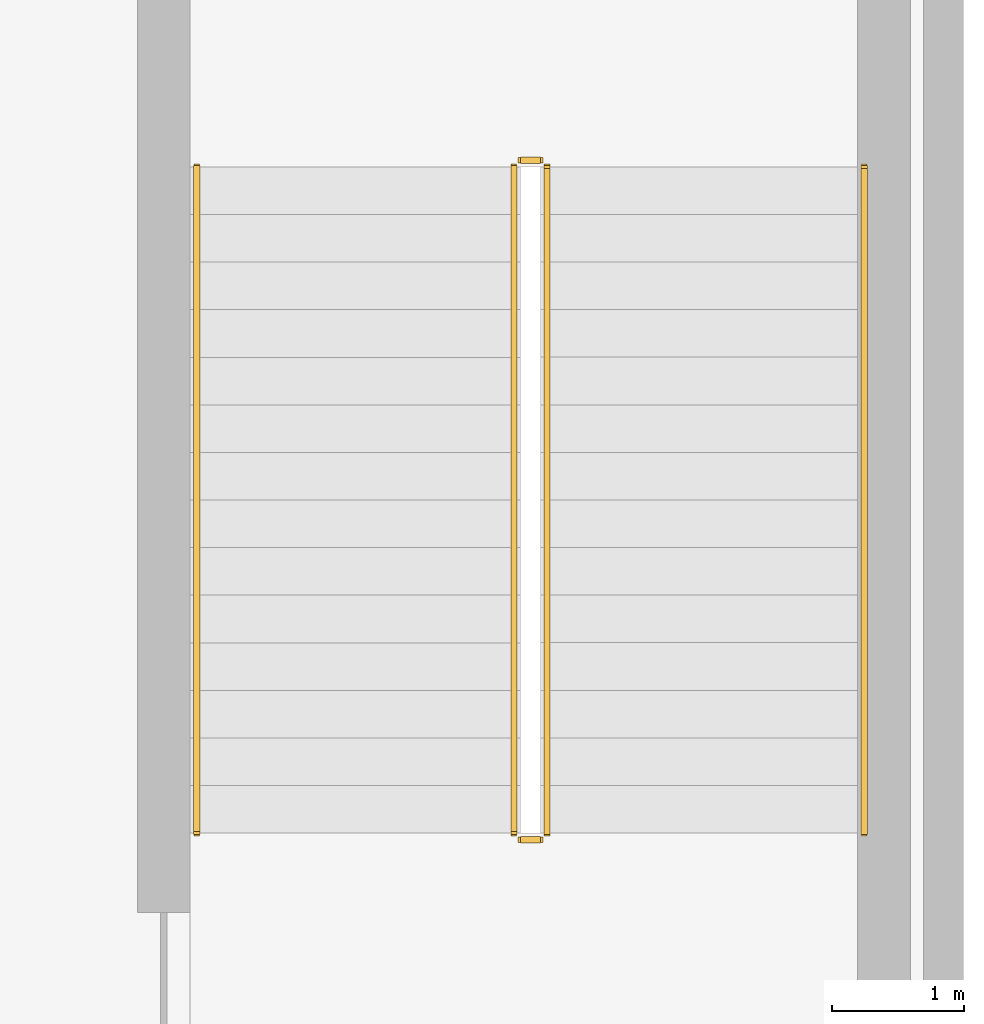
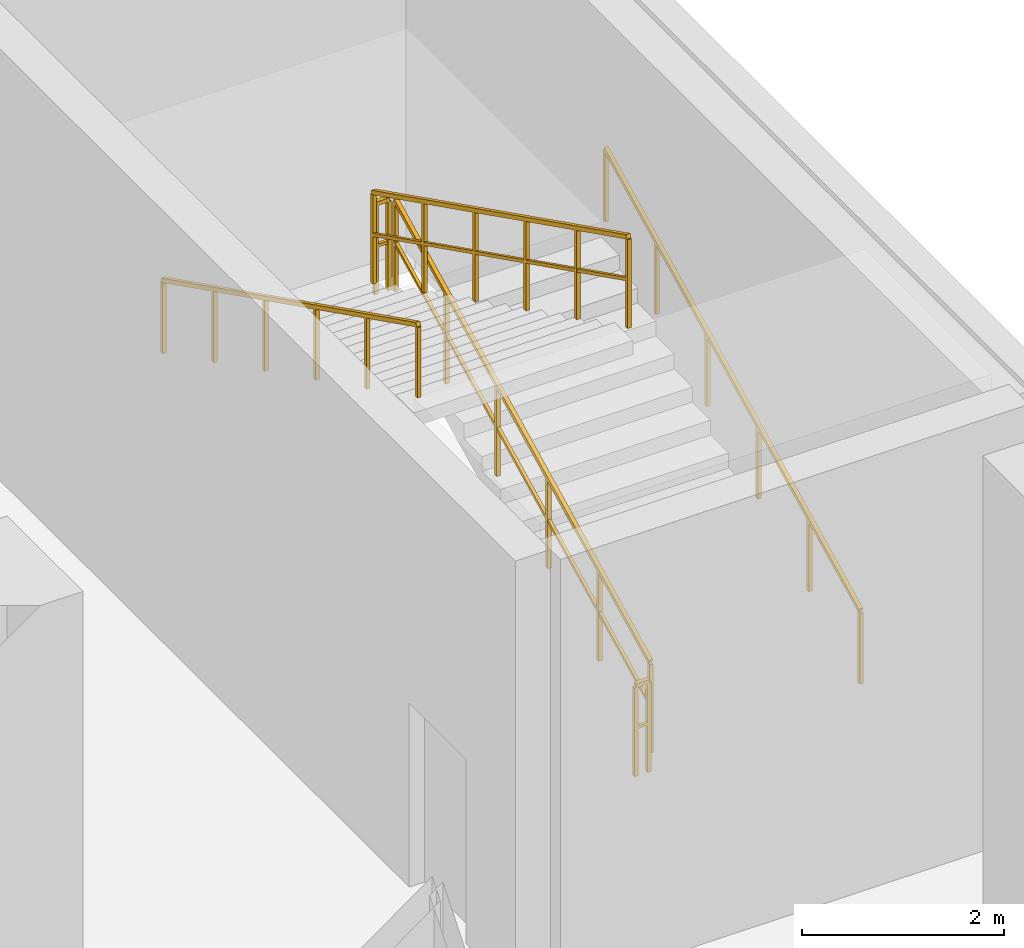
# One storey, part 29 of 30: 6 railings.
"""IFC4 building model written with IfcOpenShell, lengths in metres."""

from ifc_helpers import new_model, si_unit, direction, frame, origin, origin_2d, place, context, subcontext, project, spatial, rectangle, extrude, material, type_object, element, save


model = new_model("IFC4")

# Units and contexts
model_context = context("Model", 3, precision=1e-05, world=origin(), true_north=direction((0.0, 1.0)))
body_context = subcontext(model_context, "Body", "Model", "MODEL_VIEW")
ifc_project = project(units=[si_unit("LENGTHUNIT", "METRE"), si_unit("AREAUNIT", "SQUARE_METRE"), si_unit("VOLUMEUNIT", "CUBIC_METRE"), si_unit("PLANEANGLEUNIT", "RADIAN"), si_unit("MASSUNIT", "GRAM", prefix="KILO")], contexts=[model_context])

# Site, building, storey
site_placement = place(None, origin())
site = spatial("IfcSite", under=ifc_project, at=site_placement, CompositionType="ELEMENT")
building_placement = place(site_placement, origin())
building = spatial("IfcBuilding", under=site, at=building_placement, Name="Zuhayl Quay Hotel", CompositionType="ELEMENT")
storey_placement = place(building_placement, frame((0.0, 0.0, 6.0)))
storey = spatial("IfcBuildingStorey", under=building, at=storey_placement, Name="L01", CompositionType="ELEMENT", Elevation=6.0)

# Railings
ifc_material = material(Name="Steel ASTM A992 Grade 50", Category="steel")
railing_type_1 = type_object("IfcRailingType", Name="RL_GUARD_1100", PredefinedType="GUARDRAIL", material=ifc_material)
railing_1_placement = place(storey_placement, frame((33.0, 4.10009765625, 0.179931640625)))
element("IfcRailing", 1, at=railing_1_placement, inside=storey, type_object=railing_type_1, Name="L01 ST4 stair guard 1", PredefinedType="GUARDRAIL", context=body_context, shape_type="SweptSolid", body=[
    extrude(rectangle(XDim=0.048095703125, YDim=0.048095703125, at=origin_2d()), frame((0.0, 0.0, 1.09619140625), z_axis=(0.0, 0.894418525245, 0.447230926589), x_axis=(-1.0, 0.0, 0.0)), (0.0, 0.0, 1.0), 5.634765625),
    extrude(rectangle(XDim=0.0361328125, YDim=0.0361328125, at=origin_2d()), frame((0.0, 0.0, 0.58251953125), z_axis=(0.0, 0.894418525245, 0.447230926589), x_axis=(-1.0, 0.0, 0.0)), (0.0, 0.0, 1.0), 5.634765625),
    extrude(rectangle(XDim=0.0419921875, YDim=0.0419921875, at=origin_2d()), origin(), (0.0, 0.0, 1.0), 1.072021484375),
    extrude(rectangle(XDim=0.0419921875, YDim=0.0419921875, at=origin_2d()), frame((0.0, 1.008056640625, 0.50390625)), (0.0, 0.0, 1.0), 1.072021484375),
    extrude(rectangle(XDim=0.0419921875, YDim=0.0419921875, at=origin_2d()), frame((0.0, 2.015869140625, 1.008056640625)), (0.0, 0.0, 1.0), 1.072021484375),
    extrude(rectangle(XDim=0.0419921875, YDim=0.0419921875, at=origin_2d()), frame((0.0, 3.02392578125, 1.511962890625)), (0.0, 0.0, 1.0), 1.072021484375),
    extrude(rectangle(XDim=0.0419921875, YDim=0.0419921875, at=origin_2d()), frame((0.0, 4.03173828125, 2.01611328125)), (0.0, 0.0, 1.0), 1.072021484375),
    extrude(rectangle(XDim=0.0419921875, YDim=0.0419921875, at=origin_2d()), frame((0.0, 5.039794921875, 2.52001953125)), (0.0, 0.0, 1.0), 1.072021484375),
])
railing_2_placement = place(storey_placement, frame((32.949951171875, 9.18994140625, 2.699951171875)))
element("IfcRailing", 2, at=railing_2_placement, inside=storey, type_object=railing_type_1, Name="L01 ST4 stair guard 2", PredefinedType="GUARDRAIL", context=body_context, shape_type="SweptSolid", body=[
    extrude(rectangle(XDim=0.048095703125, YDim=0.048095703125, at=origin_2d()), frame((0.0, 0.0, 1.09619140625), z_axis=(-1.0, 0.0, 0.0), x_axis=(0.0, -1.0, 0.0)), (0.0, 0.0, 1.0), 0.14990234375),
    extrude(rectangle(XDim=0.0361328125, YDim=0.0361328125, at=origin_2d()), frame((0.0, 0.0, 0.58251953125), z_axis=(-1.0, 0.0, 0.0), x_axis=(0.0, -1.0, 0.0)), (0.0, 0.0, 1.0), 0.14990234375),
    extrude(rectangle(XDim=0.0419921875, YDim=0.0419921875, at=origin_2d()), origin(), (0.0, 0.0, 1.0), 1.072021484375),
    extrude(rectangle(XDim=0.0419921875, YDim=0.0419921875, at=origin_2d()), frame((-0.14990234375, 0.0, 0.0)), (0.0, 0.0, 1.0), 1.072021484375),
])
railing_3_placement = place(storey_placement, frame((32.75, 9.139892578125, 2.8798828125)))
element("IfcRailing", 3, at=railing_3_placement, inside=storey, type_object=railing_type_1, Name="L01 ST4 stair guard 3", PredefinedType="GUARDRAIL", context=body_context, shape_type="SweptSolid", body=[
    extrude(rectangle(XDim=0.048095703125, YDim=0.048095703125, at=origin_2d()), frame((0.0, 0.0, 1.09619140625), z_axis=(0.0, -0.894418525245, 0.447230926589), x_axis=(1.0, 0.0, 0.0)), (0.0, 0.0, 1.0), 5.634765625),
    extrude(rectangle(XDim=0.0361328125, YDim=0.0361328125, at=origin_2d()), frame((0.0, 0.0, 0.58251953125), z_axis=(0.0, -0.894418525245, 0.447230926589), x_axis=(1.0, 0.0, 0.0)), (0.0, 0.0, 1.0), 5.634765625),
    extrude(rectangle(XDim=0.0419921875, YDim=0.0419921875, at=origin_2d()), origin(), (0.0, 0.0, 1.0), 1.072021484375),
    extrude(rectangle(XDim=0.0419921875, YDim=0.0419921875, at=origin_2d()), frame((0.0, -1.008056640625, 0.50390625)), (0.0, 0.0, 1.0), 1.072021484375),
    extrude(rectangle(XDim=0.0419921875, YDim=0.0419921875, at=origin_2d()), frame((0.0, -2.015869140625, 1.008056640625)), (0.0, 0.0, 1.0), 1.072021484375),
    extrude(rectangle(XDim=0.0419921875, YDim=0.0419921875, at=origin_2d()), frame((0.0, -3.02392578125, 1.511962890625)), (0.0, 0.0, 1.0), 1.072021484375),
    extrude(rectangle(XDim=0.0419921875, YDim=0.0419921875, at=origin_2d()), frame((0.0, -4.03173828125, 2.01611328125)), (0.0, 0.0, 1.0), 1.072021484375),
    extrude(rectangle(XDim=0.0419921875, YDim=0.0419921875, at=origin_2d()), frame((0.0, -5.039794921875, 2.52001953125)), (0.0, 0.0, 1.0), 1.072021484375),
])
railing_4_placement = place(storey_placement, frame((32.949951171875, 4.050048828125, 0.0)))
element("IfcRailing", 4, at=railing_4_placement, inside=storey, type_object=railing_type_1, Name="L01 ST4 stair guard 4", PredefinedType="GUARDRAIL", context=body_context, shape_type="SweptSolid", body=[
    extrude(rectangle(XDim=0.048095703125, YDim=0.048095703125, at=origin_2d()), frame((0.0, 0.0, 1.09619140625), z_axis=(-1.0, 0.0, 0.0), x_axis=(0.0, -1.0, 0.0)), (0.0, 0.0, 1.0), 0.14990234375),
    extrude(rectangle(XDim=0.0361328125, YDim=0.0361328125, at=origin_2d()), frame((0.0, 0.0, 0.58251953125), z_axis=(-1.0, 0.0, 0.0), x_axis=(0.0, -1.0, 0.0)), (0.0, 0.0, 1.0), 0.14990234375),
    extrude(rectangle(XDim=0.0419921875, YDim=0.0419921875, at=origin_2d()), origin(), (0.0, 0.0, 1.0), 1.072021484375),
    extrude(rectangle(XDim=0.0419921875, YDim=0.0419921875, at=origin_2d()), frame((-0.14990234375, 0.0, 0.0)), (0.0, 0.0, 1.0), 1.072021484375),
])
railing_type_2 = type_object("IfcRailingType", Name="RL_HANDRAIL_920", PredefinedType="HANDRAIL", material=ifc_material)
railing_5_placement = place(storey_placement, frame((35.39990234375, 4.10009765625, 0.179931640625)))
element("IfcRailing", 5, at=railing_5_placement, inside=storey, type_object=railing_type_2, Name="L01 ST4 stair handrail 1", PredefinedType="HANDRAIL", context=body_context, shape_type="SweptSolid", body=[
    extrude(rectangle(XDim=0.048095703125, YDim=0.048095703125, at=origin_2d()), frame((0.0, 0.0, 0.8759765625), z_axis=(0.0, 0.894418525245, 0.447230926589), x_axis=(-1.0, 0.0, 0.0)), (0.0, 0.0, 1.0), 5.634765625),
    extrude(rectangle(XDim=0.0419921875, YDim=0.0419921875, at=origin_2d()), origin(), (0.0, 0.0, 1.0), 0.851806640625),
    extrude(rectangle(XDim=0.0419921875, YDim=0.0419921875, at=origin_2d()), frame((0.0, 1.008056640625, 0.50390625)), (0.0, 0.0, 1.0), 0.851806640625),
    extrude(rectangle(XDim=0.0419921875, YDim=0.0419921875, at=origin_2d()), frame((0.0, 2.015869140625, 1.008056640625)), (0.0, 0.0, 1.0), 0.851806640625),
    extrude(rectangle(XDim=0.0419921875, YDim=0.0419921875, at=origin_2d()), frame((0.0, 3.02392578125, 1.511962890625)), (0.0, 0.0, 1.0), 0.851806640625),
    extrude(rectangle(XDim=0.0419921875, YDim=0.0419921875, at=origin_2d()), frame((0.0, 4.03173828125, 2.01611328125)), (0.0, 0.0, 1.0), 0.851806640625),
    extrude(rectangle(XDim=0.0419921875, YDim=0.0419921875, at=origin_2d()), frame((0.0, 5.039794921875, 2.52001953125)), (0.0, 0.0, 1.0), 0.851806640625),
])
railing_6_placement = place(storey_placement, frame((30.35009765625, 9.139892578125, 2.8798828125)))
element("IfcRailing", 6, at=railing_6_placement, inside=storey, type_object=railing_type_2, Name="L01 ST4 stair handrail 2", PredefinedType="HANDRAIL", context=body_context, shape_type="SweptSolid", body=[
    extrude(rectangle(XDim=0.048095703125, YDim=0.048095703125, at=origin_2d()), frame((0.0, 0.0, 0.8759765625), z_axis=(0.0, -0.894418525245, 0.447230926589), x_axis=(1.0, 0.0, 0.0)), (0.0, 0.0, 1.0), 5.634765625),
    extrude(rectangle(XDim=0.0419921875, YDim=0.0419921875, at=origin_2d()), origin(), (0.0, 0.0, 1.0), 0.851806640625),
    extrude(rectangle(XDim=0.0419921875, YDim=0.0419921875, at=origin_2d()), frame((0.0, -1.008056640625, 0.50390625)), (0.0, 0.0, 1.0), 0.851806640625),
    extrude(rectangle(XDim=0.0419921875, YDim=0.0419921875, at=origin_2d()), frame((0.0, -2.015869140625, 1.008056640625)), (0.0, 0.0, 1.0), 0.851806640625),
    extrude(rectangle(XDim=0.0419921875, YDim=0.0419921875, at=origin_2d()), frame((0.0, -3.02392578125, 1.511962890625)), (0.0, 0.0, 1.0), 0.851806640625),
    extrude(rectangle(XDim=0.0419921875, YDim=0.0419921875, at=origin_2d()), frame((0.0, -4.03173828125, 2.01611328125)), (0.0, 0.0, 1.0), 0.851806640625),
    extrude(rectangle(XDim=0.0419921875, YDim=0.0419921875, at=origin_2d()), frame((0.0, -5.039794921875, 2.52001953125)), (0.0, 0.0, 1.0), 0.851806640625),
])

save(model, "model.ifc")
